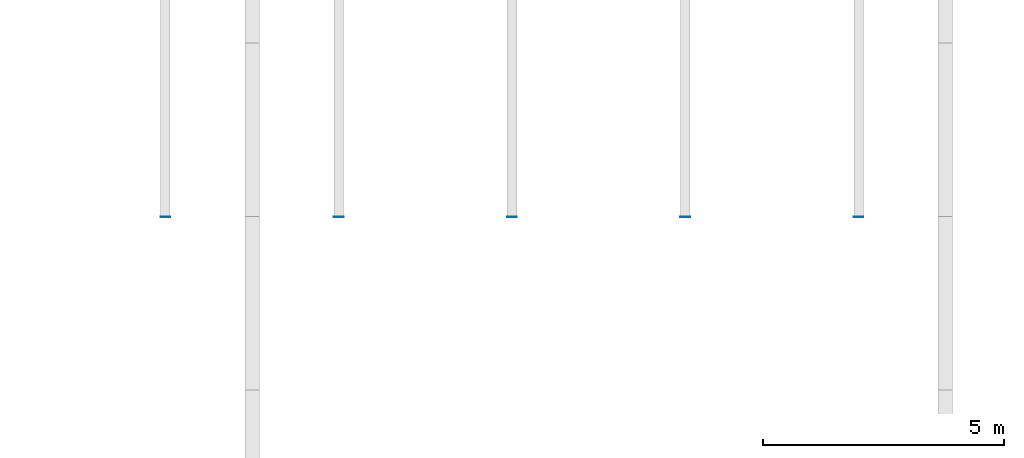
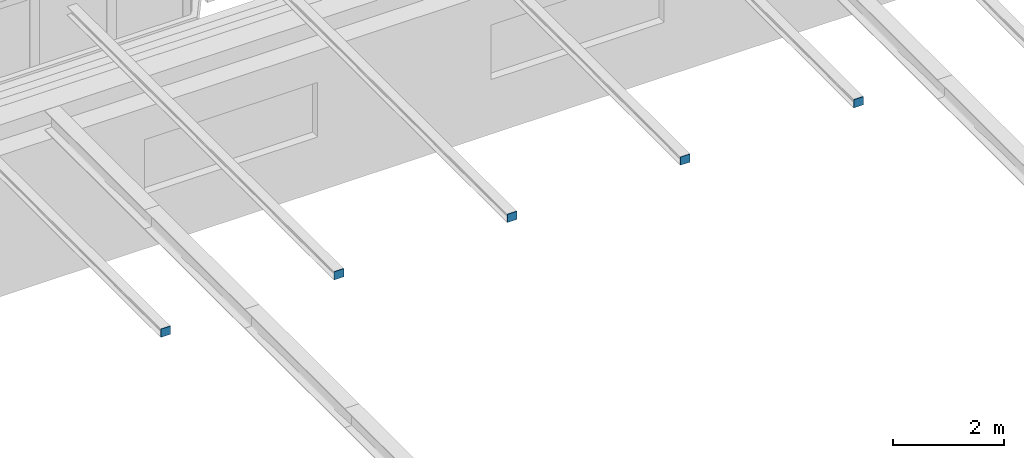
# One storey, part 57 of 110: 5 discrete accessories.
"""IFC4 building model written with IfcOpenShell, lengths in metres."""

from ifc_helpers import new_model, si_unit, direction, frame, origin, origin_2d, place, context, subcontext, project, spatial, rectangle, extrude, material, layer, layer_set, type_object, element, save


model = new_model("IFC4")

# Units and contexts
model_context = context("Model", 3, precision=1e-05, world=origin(), true_north=direction((0.0, 1.0)))
body_context = subcontext(model_context, "Body", "Model", "MODEL_VIEW")
ifc_project = project(units=[si_unit("LENGTHUNIT", "METRE"), si_unit("AREAUNIT", "SQUARE_METRE"), si_unit("VOLUMEUNIT", "CUBIC_METRE"), si_unit("PLANEANGLEUNIT", "RADIAN"), si_unit("MASSUNIT", "GRAM", prefix="KILO")], contexts=[model_context])

# Site, building, storey
site_placement = place(None, origin())
site = spatial("IfcSite", under=ifc_project, at=site_placement, CompositionType="ELEMENT")
building_placement = place(site_placement, origin())
building = spatial("IfcBuilding", under=site, at=building_placement, Name="Kupolbacken Congress Centre", CompositionType="ELEMENT")
storey_placement = place(building_placement, frame((0.0, 0.0, 18.0)))
storey = spatial("IfcBuildingStorey", under=building, at=storey_placement, Name="L05", CompositionType="ELEMENT", Elevation=18.0)

# Discrete accessories
ifc_material = material(Name="Steel S355", Category="steel")
ifc_layer = layer(ifc_material, 0.011962890625)
ifc_layer_set = layer_set([ifc_layer], Name="Steel S355")
discrete_accessory_type = type_object("IfcDiscreteAccessoryType", Name="BK3 bracket end plate 200 x 180 x 12", PredefinedType="BRACKET", material=ifc_layer_set)
for number, where, z_axis, x_axis, name in (
    (1, (106.199951171875, 107.993896484375, 3.60009765625), (0.0, 0.0, 1.0), (1.0, 0.0, 0.0), "Eave bracket end plate N06"),
    (2, (109.800048828125, 107.993896484375, 3.60009765625), (0.0, 0.0, 1.0), (1.0, 0.0, 0.0), "Eave bracket end plate N07"),
    (3, (113.39990234375, 107.993896484375, 3.60009765625), (0.0, 0.0, 1.0), (1.0, 0.0, 0.0), "Eave bracket end plate N08"),
    (4, (117.0, 107.993896484375, 3.60009765625), (0.0, 0.0, 1.0), (1.0, 0.0, 0.0), "Eave bracket end plate N09"),
    (5, (120.60009765625, 107.993896484375, 3.60009765625), (0.0, 0.0, 1.0), (1.0, 0.0, 0.0), "Eave bracket end plate N10"),
):
    element("IfcDiscreteAccessory", number, at=place(storey_placement, frame(where, z_axis=z_axis, x_axis=x_axis)), inside=storey, type_object=discrete_accessory_type, Name=name, PredefinedType="BRACKET", context=body_context, shape_type="SweptSolid", body=[
        extrude(rectangle(XDim=0.199951171875, YDim=0.011962890625, at=origin_2d()), origin(), (0.0, 0.0, 1.0), 0.179931640625),
    ])

save(model, "model.ifc")
